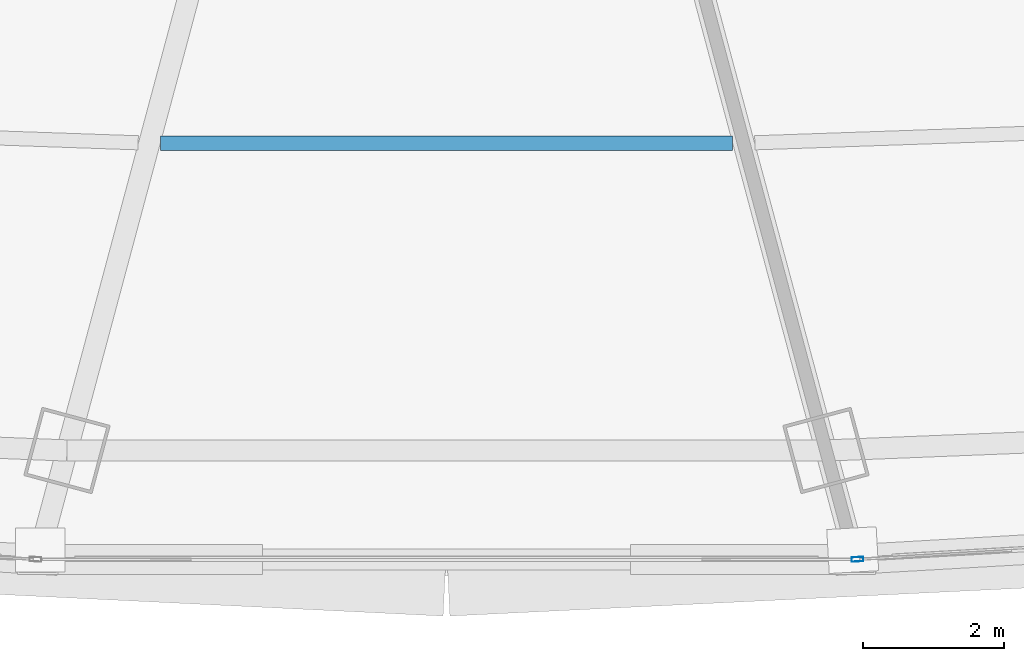
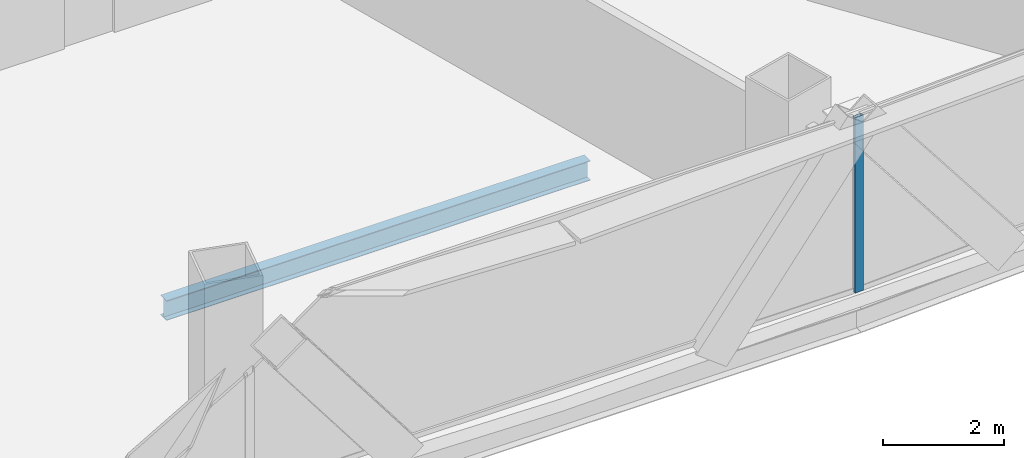
# One storey, part 10 of 36: 1 beam, 1 member, 1 element without a shape of its own.
"""IFC4 building model written with IfcOpenShell, lengths in metres."""

from ifc_helpers import new_model, si_unit, direction, frame, origin, origin_2d, place, context, subcontext, project, spatial, hollow_rectangle, i_section, extrude, source, transform, mapped, material, layer, layer_set, material_profile, profile_set, type_object, element, aggregate, save


model = new_model("IFC4")

# Units and contexts
model_context = context("Model", 3, precision=1e-05, world=origin(), true_north=direction((0.0, 1.0)))
body_context = subcontext(model_context, "Body", "Model", "MODEL_VIEW")
ifc_project = project(units=[si_unit("LENGTHUNIT", "METRE"), si_unit("AREAUNIT", "SQUARE_METRE"), si_unit("VOLUMEUNIT", "CUBIC_METRE"), si_unit("PLANEANGLEUNIT", "RADIAN"), si_unit("MASSUNIT", "GRAM", prefix="KILO"), si_unit("THERMODYNAMICTEMPERATUREUNIT", "KELVIN"), si_unit("POWERUNIT", "WATT")], contexts=[model_context])

# Site, building, storey
site_placement = place(None, origin())
site = spatial("IfcSite", under=ifc_project, at=site_placement, CompositionType="ELEMENT")
building_placement = place(site_placement, origin())
building = spatial("IfcBuilding", under=site, at=building_placement, Name="Yunzhuo Pagoda Commons", CompositionType="ELEMENT")
storey_placement = place(building_placement, frame((0.0, 0.0, 107.780029296875)))
storey = spatial("IfcBuildingStorey", under=building, at=storey_placement, Name="L27", CompositionType="ELEMENT", Elevation=107.780029296875)

# Beam
ifc_material_1 = material(Name="Structural steel Q355B", Category="steel")
ifc_material_profile_1 = material_profile(ifc_material_1, i_section(OverallWidth=0.199951171875, OverallDepth=0.39990234375, WebThickness=0.008056640625, FlangeThickness=0.012939453125, at=origin_2d()), Name="Structural steel Q355B")
ifc_profile_set_1 = profile_set([ifc_material_profile_1], Name="Structural steel Q355B")
beam_type = type_object("IfcBeamType", Name="B-JS1 Joist HN 400x200x8x13", PredefinedType="JOIST", material=ifc_profile_set_1)
shared_shape_1 = source(origin(), body_context, "Body", "SweptSolid", [
    extrude(i_section(OverallWidth=0.199951171875, OverallDepth=0.39990234375, WebThickness=0.008056640625, FlangeThickness=0.012939453125, at=origin_2d()), origin(), (0.0, 0.0, 1.0), 8.087890625),
])
beam_placement = place(storey_placement, frame((43.9560546875, 18.014404296875, -0.4599609375), z_axis=(1.0, 0.0, 0.0), x_axis=(0.0, 1.0, 0.0)))
element("IfcBeam", 1, at=beam_placement, inside=storey, type_object=beam_type, Name="L27 composite ring joist 2.2", PredefinedType="JOIST", context=body_context, shape_type="MappedRepresentation", body=[
    mapped(shared_shape_1, transform((0.0, 0.0, 0.0), scale=1.0)),
])

# Curtain wall, member
ifc_material_2 = material(Name="Anodized aluminium 6063-T6", Category="aluminium")
ifc_layer = layer(ifc_material_2, 0.1650390625)
ifc_layer_set = layer_set([ifc_layer], Name="Anodized aluminium 6063-T6")
curtain_wall_type = type_object("IfcCurtainWallType", Name="CW-LOW Low-Zone Ribbon Curtain Wall", PredefinedType="NOTDEFINED", material=ifc_layer_set)
curtain_wall_placement = place(storey_placement, origin())
curtain_wall = element("IfcCurtainWall", 2, at=curtain_wall_placement, inside=storey, type_object=curtain_wall_type, Name="L27 curtain wall CW-L27-F1B4", PredefinedType="NOTDEFINED")
ifc_material_profile_2 = material_profile(ifc_material_2, hollow_rectangle(XDim=0.06494140625, YDim=0.1650390625, WallThickness=0.00390625, at=origin_2d()), Name="Anodized aluminium 6063-T6")
ifc_profile_set_2 = profile_set([ifc_material_profile_2], Name="Anodized aluminium 6063-T6")
member_type = type_object("IfcMemberType", Name="CW-LOW-M Mullion RHS 165x65x4", PredefinedType="MULLION", material=ifc_profile_set_2)
shared_shape_2 = source(origin(), body_context, "Body", "SweptSolid", [
    extrude(hollow_rectangle(XDim=0.06494140625, YDim=0.1650390625, WallThickness=0.00390625, at=origin_2d()), origin(), (0.0, 0.0, 1.0), 3.5400390625),
])
member_placement = place(storey_placement, frame((53.812744140625, 12.129638671875, 0.0), z_axis=(0.0, 0.0, 1.0), x_axis=(-0.057152816587, 0.998365441888, 0.0)))
member = element("IfcMember", 3, at=member_placement, type_object=member_type, Name="CW mullion 1", PredefinedType="MULLION", context=body_context, shape_type="MappedRepresentation", body=[
    mapped(shared_shape_2, transform((0.0, 0.0, 0.0), scale=1.0)),
])
aggregate(curtain_wall, [member])

save(model, "model.ifc")
